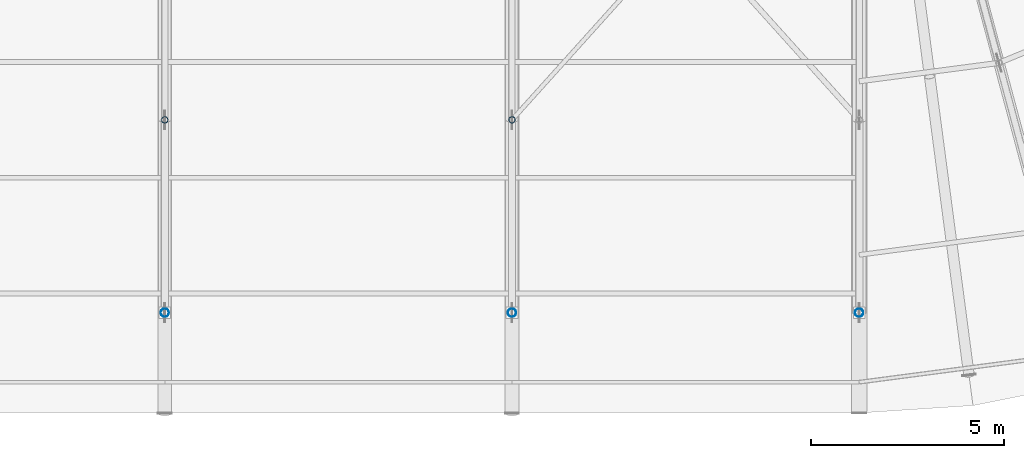
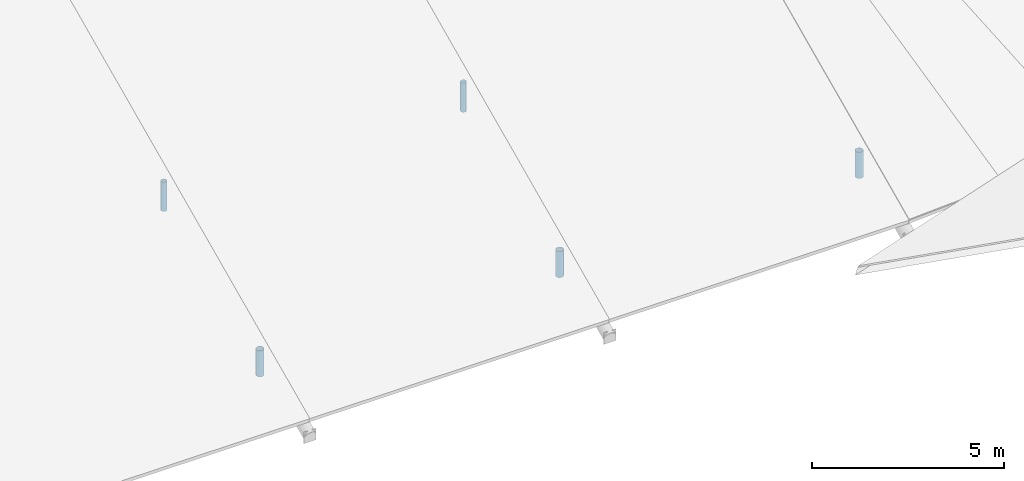
# One storey, part 73 of 107: 5 members.
"""IFC4 building model written with IfcOpenShell, lengths in metres."""

from ifc_helpers import new_model, si_unit, derived_unit, direction, frame, origin, origin_2d, place, context, subcontext, project, spatial, hollow_circle, extrude, material, material_profile, profile_set, type_object, element, save


model = new_model("IFC4")

# Units and contexts
model_context = context("Model", 3, precision=1e-05, world=origin(), true_north=direction((0.0, 1.0)))
body_context = subcontext(model_context, "Body", "Model", "MODEL_VIEW")
ifc_project = project(units=[si_unit("LENGTHUNIT", "METRE"), si_unit("AREAUNIT", "SQUARE_METRE"), si_unit("VOLUMEUNIT", "CUBIC_METRE"), si_unit("PLANEANGLEUNIT", "RADIAN"), si_unit("MASSUNIT", "GRAM", prefix="KILO"), si_unit("THERMODYNAMICTEMPERATUREUNIT", "KELVIN"), si_unit("TIMEUNIT", "SECOND"), derived_unit("THERMALTRANSMITTANCEUNIT", [(si_unit("MASSUNIT", "GRAM", prefix="KILO"), 1), (si_unit("THERMODYNAMICTEMPERATUREUNIT", "KELVIN"), -1), (si_unit("TIMEUNIT", "SECOND"), -3)])], contexts=[model_context])

# Site, building, storey
site_placement = place(None, origin())
site = spatial("IfcSite", under=ifc_project, at=site_placement, CompositionType="ELEMENT")
building_placement = place(site_placement, origin())
building = spatial("IfcBuilding", under=site, at=building_placement, Name="Cambertide Market Hall", CompositionType="ELEMENT")
storey_placement = place(building_placement, frame((0.0, 0.0, 18.300048828125)))
storey = spatial("IfcBuildingStorey", under=building, at=storey_placement, Name="RF", CompositionType="ELEMENT", Elevation=18.300048828125)

# Members
ifc_material_1 = material(Name="Steel S355", Category="steel")
ifc_material_profile_1 = material_profile(ifc_material_1, hollow_circle(Radius=0.084228515625, WallThickness=0.00634765625, at=origin_2d()), Name="CHS 168.3x6.3")
ifc_profile_set_1 = profile_set([ifc_material_profile_1], Name="Steel S355")
member_type_1 = type_object("IfcMemberType", Name="Structural Brace CHS 168.3x6.3", PredefinedType="BRACE", material=ifc_profile_set_1)
for number, where, z_axis, x_axis, name in (
    (1, (87.0, 57.0, -8.1767578125), (0.0, 0.0, 1.0), (1.0, 0.0, 0.0), "Roof Truss 6 Web Post 2"),
    (2, (96.0, 57.0, -8.1767578125), (0.0, 0.0, 1.0), (1.0, 0.0, 0.0), "Roof Truss 7 Web Post 2"),
):
    element("IfcMember", number, at=place(storey_placement, frame(where, z_axis=z_axis, x_axis=x_axis)), inside=storey, type_object=member_type_1, Name=name, PredefinedType="BRACE", context=body_context, shape_type="SweptSolid", body=[
        extrude(hollow_circle(Radius=0.084228515625, WallThickness=0.00634765625, at=origin_2d()), origin(), (0.0, 0.0, 1.0), 0.9267578125),
    ])
ifc_material_2 = material(Name="Steel S355", Category="steel")
ifc_material_profile_2 = material_profile(ifc_material_2, hollow_circle(Radius=0.109619140625, WallThickness=0.008056640625, at=origin_2d()), Name="CHS 219.1x8")
ifc_profile_set_2 = profile_set([ifc_material_profile_2], Name="Steel S355")
member_type_2 = type_object("IfcMemberType", Name="Structural Brace CHS 219.1x8", PredefinedType="BRACE", material=ifc_profile_set_2)
for number, where, z_axis, x_axis, name in (
    (3, (87.0, 52.0, -10.380126953125), (0.0, 0.0, 1.0), (1.0, 0.0, 0.0), "Roof Truss 6 Web Post 1"),
    (4, (96.0, 52.0, -10.380126953125), (0.0, 0.0, 1.0), (1.0, 0.0, 0.0), "Roof Truss 7 Web Post 1"),
    (5, (105.0, 52.0, -10.380126953125), (0.0, 0.0, 1.0), (1.0, 0.0, 0.0), "Roof Truss 8 Web Post 1"),
):
    element("IfcMember", number, at=place(storey_placement, frame(where, z_axis=z_axis, x_axis=x_axis)), inside=storey, type_object=member_type_2, Name=name, PredefinedType="BRACE", context=body_context, shape_type="SweptSolid", body=[
        extrude(hollow_circle(Radius=0.109619140625, WallThickness=0.008056640625, at=origin_2d()), origin(), (0.0, 0.0, 1.0), 0.830078125),
    ])

save(model, "model.ifc")
